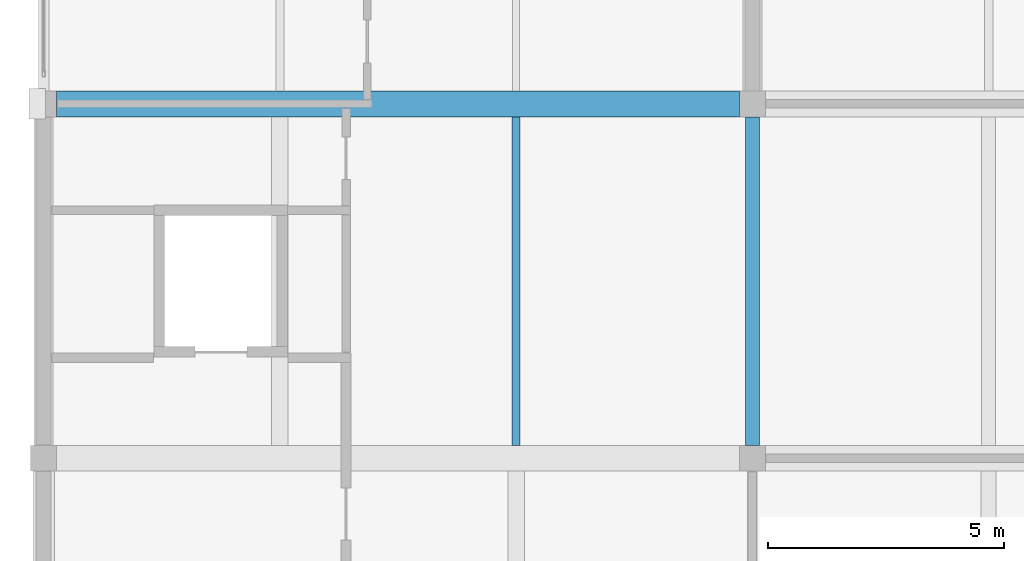
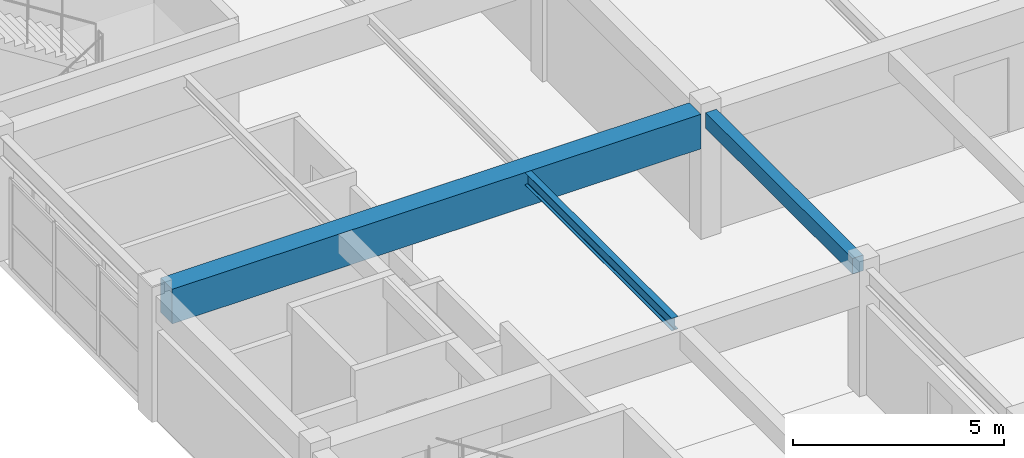
# One storey, part 21 of 101: 3 beams.
"""IFC4 building model written with IfcOpenShell, lengths in metres."""

from ifc_helpers import new_model, si_unit, direction, frame, origin, origin_2d, place, context, subcontext, project, spatial, rectangle, i_section, extrude, material, material_profile, profile_set, type_object, element, save


model = new_model("IFC4")

# Units and contexts
model_context = context("Model", 3, precision=1e-05, world=origin(), true_north=direction((0.0, 1.0)))
body_context = subcontext(model_context, "Body", "Model", "MODEL_VIEW")
ifc_project = project(units=[si_unit("LENGTHUNIT", "METRE"), si_unit("AREAUNIT", "SQUARE_METRE"), si_unit("VOLUMEUNIT", "CUBIC_METRE"), si_unit("PLANEANGLEUNIT", "RADIAN"), si_unit("MASSUNIT", "GRAM", prefix="KILO")], contexts=[model_context])

# Site, building, storey
site_placement = place(None, origin())
site = spatial("IfcSite", under=ifc_project, at=site_placement, CompositionType="ELEMENT")
building_placement = place(site_placement, origin())
building = spatial("IfcBuilding", under=site, at=building_placement, Name="Qasida Concert Hall", CompositionType="ELEMENT")
storey_placement = place(building_placement, frame((0.0, 0.0, 13.199951171875)))
storey = spatial("IfcBuildingStorey", under=building, at=storey_placement, Name="L03", CompositionType="ELEMENT", Elevation=13.199951171875)

# Beams
ifc_material_1 = material(Name="Concrete C40/50", Category="concrete")
ifc_material_profile_1 = material_profile(ifc_material_1, rectangle(XDim=0.300048828125, YDim=0.449951171875, at=origin_2d()), Name="RC 300x450")
ifc_profile_set_1 = profile_set([ifc_material_profile_1], Name="Concrete C40/50")
beam_type_1 = type_object("IfcBeamType", Name="BM-B3", PredefinedType="BEAM", material=ifc_profile_set_1)
beam_1_placement = place(storey_placement, frame((15.0, 30.27490234375, 3.39501953125), z_axis=(0.0, 1.0, 0.0), x_axis=(-1.0, 0.0, 0.0)))
element("IfcBeam", 1, at=beam_1_placement, inside=storey, type_object=beam_type_1, Name="L03 girder 1623", PredefinedType="BEAM", context=body_context, shape_type="SweptSolid", body=[
    extrude(rectangle(XDim=0.300048828125, YDim=0.449951171875, at=origin_2d()), origin(), (0.0, 0.0, 1.0), 6.9501953125),
])
ifc_material_profile_2 = material_profile(ifc_material_1, rectangle(XDim=0.550048828125, YDim=1.0, at=origin_2d()), Name="RC 550x1000")
ifc_profile_set_2 = profile_set([ifc_material_profile_2], Name="Concrete C40/50")
beam_type_2 = type_object("IfcBeamType", Name="BM-G3", PredefinedType="USERDEFINED", material=ifc_profile_set_2)
beam_2_placement = place(storey_placement, frame((0.27490234375, 37.5, 3.1201171875), z_axis=(1.0, 0.0, 0.0), x_axis=(0.0, 1.0, 0.0)))
element("IfcBeam", 2, at=beam_2_placement, inside=storey, type_object=beam_type_2, Name="Primary girder 1607", ObjectType="GIRDER", PredefinedType="USERDEFINED", context=body_context, shape_type="SweptSolid", body=[
    extrude(rectangle(XDim=0.550048828125, YDim=1.0, at=origin_2d()), origin(), (0.0, 0.0, 1.0), 14.4501953125),
])
ifc_material_2 = material(Name="Steel S355J2", Category="steel")
ifc_material_profile_3 = material_profile(ifc_material_2, i_section(OverallWidth=0.169921875, OverallDepth=0.360107421875, WebThickness=0.008056640625, FlangeThickness=0.0126953125, FilletRadius=0.01806640625, at=origin_2d()), Name="IPE 360")
ifc_profile_set_3 = profile_set([ifc_material_profile_3], Name="Steel S355J2")
beam_type_3 = type_object("IfcBeamType", Name="BM-J2", PredefinedType="JOIST", material=ifc_profile_set_3)
beam_3_placement = place(storey_placement, frame((10.0, 30.27490234375, 3.43994140625), z_axis=(0.0, 1.0, 0.0), x_axis=(-1.0, 0.0, 0.0)))
element("IfcBeam", 3, at=beam_3_placement, inside=storey, type_object=beam_type_3, Name="L03 secondary joist 1640", PredefinedType="JOIST", context=body_context, shape_type="SweptSolid", body=[
    extrude(i_section(OverallWidth=0.169921875, OverallDepth=0.360107421875, WebThickness=0.008056640625, FlangeThickness=0.0126953125, FilletRadius=0.01806640625, at=origin_2d()), origin(), (0.0, 0.0, 1.0), 6.9501953125),
])

save(model, "model.ifc")
